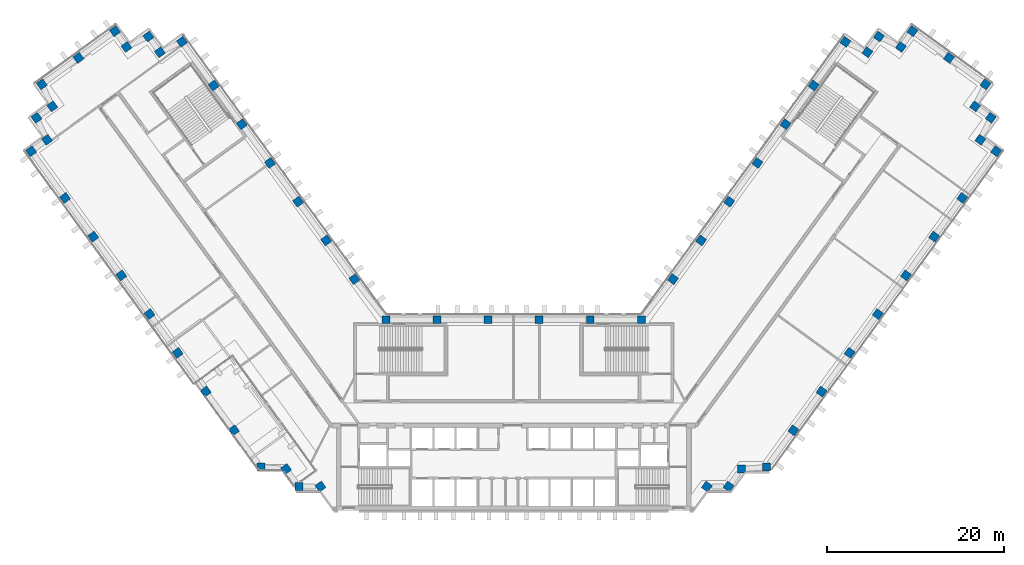
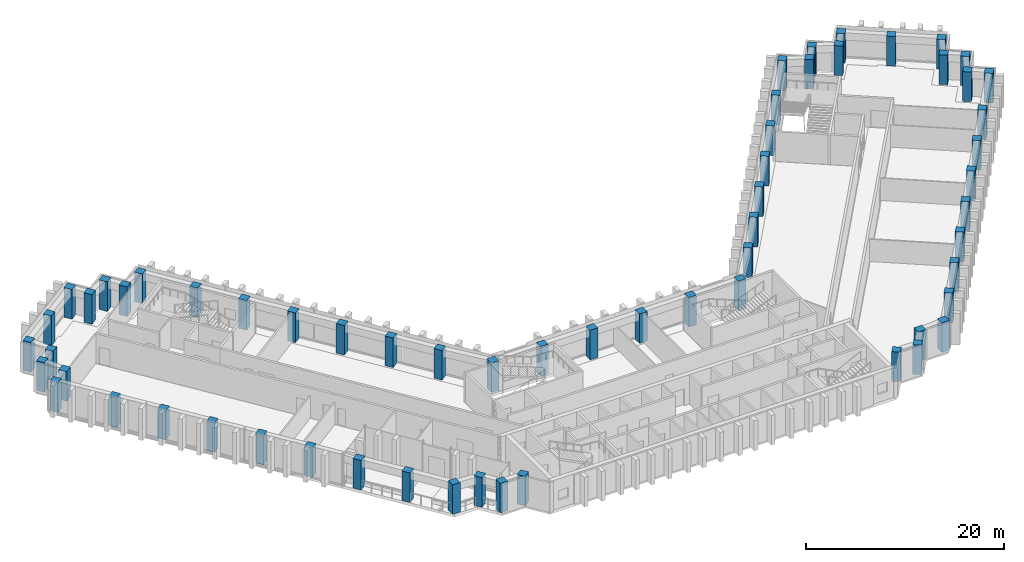
# One storey, part 1 of 16: 62 columns.
"""IFC4 building model written with IfcOpenShell, lengths in metres."""

from ifc_helpers import new_model, si_unit, direction, frame, origin, origin_2d, place, context, subcontext, project, spatial, rectangle, extrude, material, material_profile, profile_set, type_object, element, save


model = new_model("IFC4")

# Units and contexts
model_context = context("Model", 3, precision=1e-05, world=origin(), true_north=direction((0.0, 1.0)))
body_context = subcontext(model_context, "Body", "Model", "MODEL_VIEW")
ifc_project = project(units=[si_unit("LENGTHUNIT", "METRE"), si_unit("AREAUNIT", "SQUARE_METRE"), si_unit("VOLUMEUNIT", "CUBIC_METRE"), si_unit("PLANEANGLEUNIT", "RADIAN"), si_unit("MASSUNIT", "GRAM", prefix="KILO")], contexts=[model_context])

# Site, building, storey
site_placement = place(None, origin())
site = spatial("IfcSite", under=ifc_project, at=site_placement, CompositionType="ELEMENT")
building_placement = place(site_placement, origin())
building = spatial("IfcBuilding", under=site, at=building_placement, Name="Quipu Civic Tower", CompositionType="ELEMENT")
storey_placement = place(building_placement, frame((0.0, 0.0, 63.0)))
storey = spatial("IfcBuildingStorey", under=building, at=storey_placement, Name="L14", CompositionType="ELEMENT", Elevation=63.0)

# Columns
ifc_material = material(Name="Concrete C70/85", Category="concrete")
ifc_material_profile = material_profile(ifc_material, rectangle(XDim=0.89990234375, YDim=0.89990234375, at=origin_2d()), Name="RC900x900")
ifc_profile_set = profile_set([ifc_material_profile], Name="Concrete C70/85")
column_type = type_object("IfcColumnType", Name="Perimeter column RC 900x900 C70/85", PredefinedType="COLUMN", material=ifc_profile_set)
for number, where, z_axis, x_axis, name in (
    (1, (-17.9736328125, 15.074951171875, 0.0), (0.0, 0.0, 1.0), (-0.587785252292, 0.809016994375, 0.0), "Column L14 W-IN-01"),
    (2, (-21.1474609375, 19.44384765625, 0.0), (0.0, 0.0, 1.0), (-0.587785252292, 0.809016994375, 0.0), "Column L14 W-IN-02"),
    (3, (-24.3212890625, 23.8125, 0.0), (0.0, 0.0, 1.0), (-0.587785252292, 0.809016994375, 0.0), "Column L14 W-IN-03"),
    (4, (-27.4951171875, 28.181396484375, 0.0), (0.0, 0.0, 1.0), (-0.587785252292, 0.809016994375, 0.0), "Column L14 W-IN-04"),
    (5, (-30.6689453125, 32.55029296875, 0.0), (0.0, 0.0, 1.0), (-0.587785252292, 0.809016994375, 0.0), "Column L14 W-IN-05"),
    (6, (-33.843017578125, 36.919189453125, 0.0), (0.0, 0.0, 1.0), (-0.587785252292, 0.809016994375, 0.0), "Column L14 W-IN-06"),
    (7, (-37.425048828125, 41.85009765625, 0.0), (0.0, 0.0, 1.0), (-0.587785252292, 0.809016994375, 0.0), "Column L14 T-Wi.0-W50"),
    (8, (-39.905517578125, 40.666015625, 0.0), (0.0, 0.0, 1.0), (-0.587785252292, 0.809016994375, 0.0), "Column L14 T-Wi.1-W50"),
    (9, (-41.199951171875, 42.445068359375, 0.0), (0.0, 0.0, 1.0), (-0.587785252292, 0.809016994375, 0.0), "Column L14 T-Wi.2-W50"),
    (10, (-43.674560546875, 41.264892578125, 0.0), (0.0, 0.0, 1.0), (-0.809016994375, -0.587785252292, 0.0), "Column L14 T-Wi.3-W50"),
    (11, (-44.969970703125, 43.044921875, 0.0), (0.0, 0.0, 1.0), (-0.809016994375, -0.587785252292, 0.0), "Column L14 T-Wi.4-W50"),
    (12, (-49.095703125, 40.046875, 0.0), (0.0, 0.0, 1.0), (-0.809016994375, -0.587785252292, 0.0), "Column L14 TIP-W-01-W50"),
    (13, (-53.219970703125, 37.050048828125, 0.0), (0.0, 0.0, 1.0), (0.587785252292, -0.809016994375, 0.0), "Column L14 T-Wo.0-W50"),
    (14, (-52.038818359375, 34.571044921875, 0.0), (0.0, 0.0, 1.0), (-0.809016994375, -0.587785252292, 0.0), "Column L14 T-Wo.1-W50"),
    (15, (-53.820068359375, 33.27490234375, 0.0), (0.0, 0.0, 1.0), (0.587785252292, -0.809016994375, 0.0), "Column L14 T-Wo.2-W50"),
    (16, (-52.635986328125, 30.799560546875, 0.0), (0.0, 0.0, 1.0), (-0.809016994375, -0.587785252292, 0.0), "Column L14 T-Wo.3-W50"),
    (17, (-54.4150390625, 29.5048828125, 0.0), (0.0, 0.0, 1.0), (0.587785252292, -0.809016994375, 0.0), "Column L14 T-Wo.4-W50"),
    (18, (-50.59228515625, 24.243408203125, 0.0), (0.0, 0.0, 1.0), (0.587785252292, -0.809016994375, 0.0), "Column L14 W-OUT-07"),
    (19, (-47.41845703125, 19.874755859375, 0.0), (0.0, 0.0, 1.0), (0.587785252292, -0.809016994375, 0.0), "Column L14 W-OUT-06"),
    (20, (-44.244384765625, 15.506103515625, 0.0), (0.0, 0.0, 1.0), (0.587785252292, -0.809016994375, 0.0), "Column L14 W-OUT-05"),
    (21, (-41.0703125, 11.137451171875, 0.0), (0.0, 0.0, 1.0), (0.587785252292, -0.809016994375, 0.0), "Column L14 W-OUT-04"),
    (22, (-37.896240234375, 6.768798828125, 0.0), (0.0, 0.0, 1.0), (0.587785252292, -0.809016994375, 0.0), "Column L14 W-OUT-03"),
    (23, (-34.722412109375, 2.39990234375, 0.0), (0.0, 0.0, 1.0), (0.587785252292, -0.809016994375, 0.0), "Column L14 W-OUT-02"),
    (24, (-31.54833984375, -1.96875, 0.0), (0.0, 0.0, 1.0), (0.587785252292, -0.809016994375, 0.0), "Column L14 W-OUT-01"),
    (25, (-28.52490234375, -6.1298828125, 0.0), (0.0, 0.0, 1.0), (1.0, 0.0, 0.0), "Column L14 J-Wo.0"),
    (26, (-25.67431640625, -6.3369140625, 0.0), (0.0, 0.0, 1.0), (0.587785252292, -0.809016994375, 0.0), "Column L14 J-Wo.1"),
    (27, (-24.235107421875, -8.31494140625, 0.0), (0.0, 0.0, 1.0), (1.0, 0.0, 0.0), "Column L14 J-Wo.2"),
    (28, (-21.791748046875, -8.31494140625, 0.0), (0.0, 0.0, 1.0), (0.587785252292, -0.809016994375, 0.0), "Column L14 J-Wo.3"),
    (29, (21.791748046875, -8.31494140625, 0.0), (0.0, 0.0, 1.0), (0.587785252292, 0.809016994375, 0.0), "Column L14 J-Eo.1"),
    (30, (24.235107421875, -8.31494140625, 0.0), (0.0, 0.0, 1.0), (0.587785252292, 0.809016994375, 0.0), "Column L14 J-Eo.2"),
    (31, (25.67431640625, -6.3369140625, 0.0), (0.0, 0.0, 1.0), (1.0, 0.0, 0.0), "Column L14 J-Eo.3"),
    (32, (28.52490234375, -6.1298828125, 0.0), (0.0, 0.0, 1.0), (1.0, 0.0, 0.0), "Column L14 J-Eo.4"),
    (33, (31.54833984375, -1.96875, 0.0), (0.0, 0.0, 1.0), (0.587785252292, 0.809016994375, 0.0), "Column L14 E-OUT-01"),
    (34, (34.722412109375, 2.39990234375, 0.0), (0.0, 0.0, 1.0), (0.587785252292, 0.809016994375, 0.0), "Column L14 E-OUT-02"),
    (35, (37.896240234375, 6.768798828125, 0.0), (0.0, 0.0, 1.0), (0.587785252292, 0.809016994375, 0.0), "Column L14 E-OUT-03"),
    (36, (41.0703125, 11.137451171875, 0.0), (0.0, 0.0, 1.0), (0.587785252292, 0.809016994375, 0.0), "Column L14 E-OUT-04"),
    (37, (44.244384765625, 15.506103515625, 0.0), (0.0, 0.0, 1.0), (0.587785252292, 0.809016994375, 0.0), "Column L14 E-OUT-05"),
    (38, (47.41845703125, 19.874755859375, 0.0), (0.0, 0.0, 1.0), (0.587785252292, 0.809016994375, 0.0), "Column L14 E-OUT-06"),
    (39, (50.59228515625, 24.243408203125, 0.0), (0.0, 0.0, 1.0), (0.587785252292, 0.809016994375, 0.0), "Column L14 E-OUT-07"),
    (40, (54.4150390625, 29.5048828125, 0.0), (0.0, 0.0, 1.0), (0.587785252292, 0.809016994375, 0.0), "Column L14 T-Eo.0-E50"),
    (41, (52.635986328125, 30.799560546875, 0.0), (0.0, 0.0, 1.0), (-0.809016994375, 0.587785252292, 0.0), "Column L14 T-Eo.1-E50"),
    (42, (53.820068359375, 33.27490234375, 0.0), (0.0, 0.0, 1.0), (-0.809016994375, 0.587785252292, 0.0), "Column L14 T-Eo.2-E50"),
    (43, (52.038818359375, 34.571044921875, 0.0), (0.0, 0.0, 1.0), (0.587785252292, 0.809016994375, 0.0), "Column L14 T-Eo.3-E50"),
    (44, (53.219970703125, 37.050048828125, 0.0), (0.0, 0.0, 1.0), (-0.809016994375, 0.587785252292, 0.0), "Column L14 T-Eo.4-E50"),
    (45, (49.095703125, 40.046875, 0.0), (0.0, 0.0, 1.0), (-0.809016994375, 0.587785252292, 0.0), "Column L14 TIP-E-01-E50"),
    (46, (44.969970703125, 43.044921875, 0.0), (0.0, 0.0, 1.0), (-0.809016994375, 0.587785252292, 0.0), "Column L14 T-Ei.0-E50"),
    (47, (43.674560546875, 41.264892578125, 0.0), (0.0, 0.0, 1.0), (-0.809016994375, 0.587785252292, 0.0), "Column L14 T-Ei.1-E50"),
    (48, (41.199951171875, 42.445068359375, 0.0), (0.0, 0.0, 1.0), (-0.587785252292, -0.809016994375, 0.0), "Column L14 T-Ei.2-E50"),
    (49, (39.905517578125, 40.666015625, 0.0), (0.0, 0.0, 1.0), (-0.587785252292, -0.809016994375, 0.0), "Column L14 T-Ei.3-E50"),
    (50, (37.425048828125, 41.85009765625, 0.0), (0.0, 0.0, 1.0), (-0.587785252292, -0.809016994375, 0.0), "Column L14 T-Ei.4-E50"),
    (51, (33.843017578125, 36.919189453125, 0.0), (0.0, 0.0, 1.0), (-0.587785252292, -0.809016994375, 0.0), "Column L14 E-IN-06"),
    (52, (30.6689453125, 32.55029296875, 0.0), (0.0, 0.0, 1.0), (-0.587785252292, -0.809016994375, 0.0), "Column L14 E-IN-05"),
    (53, (27.4951171875, 28.181396484375, 0.0), (0.0, 0.0, 1.0), (-0.587785252292, -0.809016994375, 0.0), "Column L14 E-IN-04"),
    (54, (24.3212890625, 23.8125, 0.0), (0.0, 0.0, 1.0), (-0.587785252292, -0.809016994375, 0.0), "Column L14 E-IN-03"),
    (55, (21.1474609375, 19.44384765625, 0.0), (0.0, 0.0, 1.0), (-0.587785252292, -0.809016994375, 0.0), "Column L14 E-IN-02"),
    (56, (17.9736328125, 15.074951171875, 0.0), (0.0, 0.0, 1.0), (-0.587785252292, -0.809016994375, 0.0), "Column L14 E-IN-01"),
    (57, (14.395263671875, 10.5, 0.0), (0.0, 0.0, 1.0), (-1.0, 0.0, 0.0), "Column L14 J-Ei.0"),
    (58, (8.63720703125, 10.5, 0.0), (0.0, 0.0, 1.0), (-1.0, 0.0, 0.0), "Column L14 FRONT-01"),
    (59, (2.87890625, 10.5, 0.0), (0.0, 0.0, 1.0), (-1.0, 0.0, 0.0), "Column L14 FRONT-02"),
    (60, (-2.87890625, 10.5, 0.0), (0.0, 0.0, 1.0), (-1.0, 0.0, 0.0), "Column L14 FRONT-03"),
    (61, (-8.63720703125, 10.5, 0.0), (0.0, 0.0, 1.0), (-1.0, 0.0, 0.0), "Column L14 FRONT-04"),
    (62, (-14.395263671875, 10.5, 0.0), (0.0, 0.0, 1.0), (-1.0, 0.0, 0.0), "Column L14 J-Wi.0"),
):
    element("IfcColumn", number, at=place(storey_placement, frame(where, z_axis=z_axis, x_axis=x_axis)), inside=storey, type_object=column_type, Name=name, PredefinedType="COLUMN", context=body_context, shape_type="SweptSolid", body=[
        extrude(rectangle(XDim=0.89990234375, YDim=0.89990234375, at=origin_2d()), origin(), (0.0, 0.0, 1.0), 3.64990234375),
    ])

save(model, "model.ifc")
